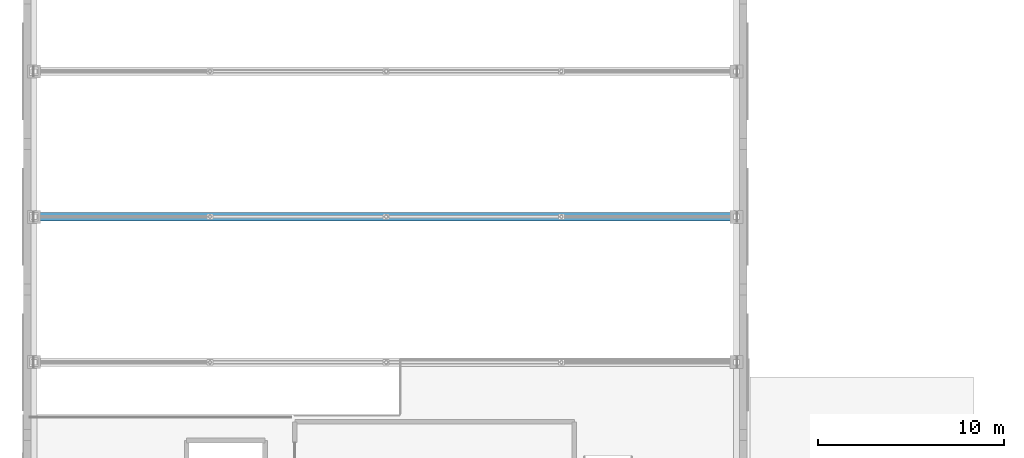
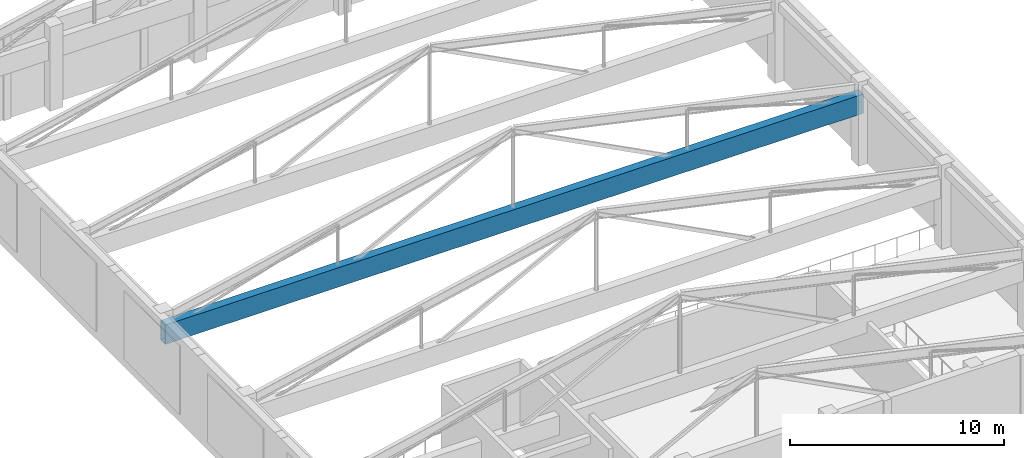
# One storey, part 27 of 105: 1 beam.
"""IFC4 building model written with IfcOpenShell, lengths in metres."""

from ifc_helpers import new_model, si_unit, direction, frame, origin, origin_2d, place, context, subcontext, project, spatial, hollow_rectangle, extrude, material, material_profile, profile_set, type_object, element, save


model = new_model("IFC4")

# Units and contexts
model_context = context("Model", 3, precision=1e-05, world=origin(), true_north=direction((0.0, 1.0)))
body_context = subcontext(model_context, "Body", "Model", "MODEL_VIEW")
ifc_project = project(units=[si_unit("LENGTHUNIT", "METRE"), si_unit("AREAUNIT", "SQUARE_METRE"), si_unit("VOLUMEUNIT", "CUBIC_METRE"), si_unit("PLANEANGLEUNIT", "RADIAN"), si_unit("MASSUNIT", "GRAM", prefix="KILO")], contexts=[model_context])

# Site, building, storey
site_placement = place(None, origin())
site = spatial("IfcSite", under=ifc_project, at=site_placement, CompositionType="ELEMENT")
building_placement = place(site_placement, origin())
building = spatial("IfcBuilding", under=site, at=building_placement, Name="Pelvatis Terrace Science Centre", CompositionType="ELEMENT")
storey_placement = place(building_placement, frame((0.0, 0.0, 10.199951171875)))
storey = spatial("IfcBuildingStorey", under=building, at=storey_placement, Name="L02", CompositionType="ELEMENT", Elevation=10.199951171875)

# Beam
ifc_material = material(Name="Structural steel S355", Category="steel")
ifc_material_profile = material_profile(ifc_material, hollow_rectangle(XDim=0.449951171875, YDim=1.10009765625, WallThickness=0.02197265625, at=origin_2d()), Name="RHS 1100x450x22.0")
ifc_profile_set = profile_set([ifc_material_profile], Name="Structural steel S355")
beam_type = type_object("IfcBeamType", Name="BM-STL-BOX1100", PredefinedType="BEAM", material=ifc_profile_set)
beam_placement = place(storey_placement, frame((8.39990234375, 93.60009765625, 3.400146484375), z_axis=(1.0, 0.0, 0.0), x_axis=(0.0, 1.0, 0.0)))
element("IfcBeam", 1, at=beam_placement, inside=storey, type_object=beam_type, Name="Theatre roof truss 4 bottom tie girder", PredefinedType="BEAM", context=body_context, shape_type="SweptSolid", body=[
    extrude(hollow_rectangle(XDim=0.449951171875, YDim=1.10009765625, WallThickness=0.02197265625, at=origin_2d()), origin(), (0.0, 0.0, 1.0), 37.7001953125),
])

save(model, "model.ifc")
